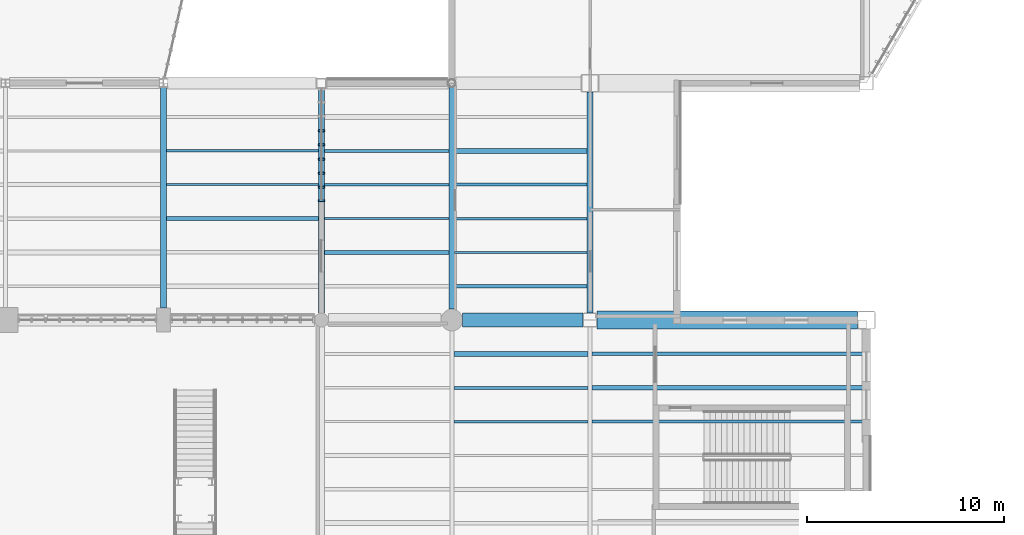
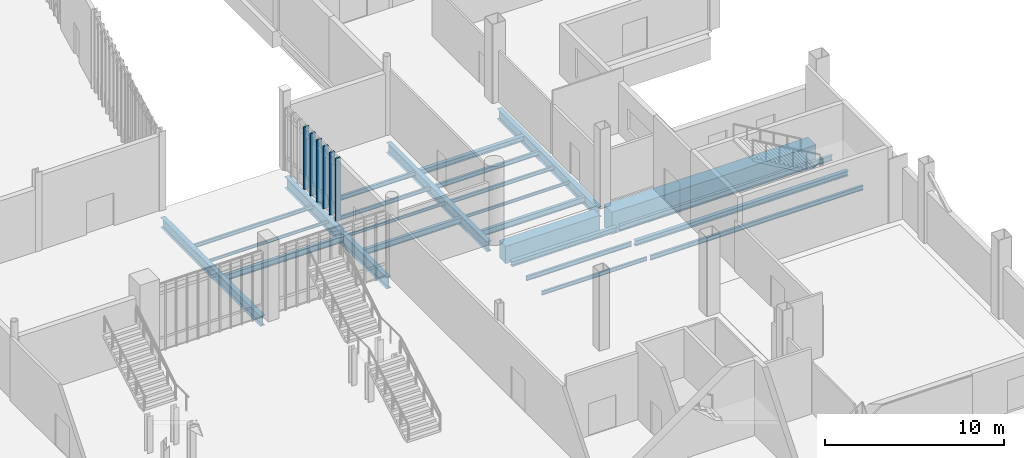
# One storey, part 23 of 111: 24 beams, 6 members, 1 element without a shape of its own.
"""IFC4 building model written with IfcOpenShell, lengths in metres."""

from ifc_helpers import new_model, si_unit, direction, frame, origin, origin_2d, place, context, subcontext, project, spatial, rectangle, i_section, extrude, material, material_profile, profile_set, type_object, element, aggregate, save


model = new_model("IFC4")

# Units and contexts
model_context = context("Model", 3, precision=1e-05, world=origin(), true_north=direction((0.0, 1.0)))
body_context = subcontext(model_context, "Body", "Model", "MODEL_VIEW")
ifc_project = project(units=[si_unit("LENGTHUNIT", "METRE"), si_unit("AREAUNIT", "SQUARE_METRE"), si_unit("VOLUMEUNIT", "CUBIC_METRE"), si_unit("PLANEANGLEUNIT", "RADIAN"), si_unit("MASSUNIT", "GRAM", prefix="KILO")], contexts=[model_context])

# Site, building, storey
site_placement = place(None, origin())
site = spatial("IfcSite", under=ifc_project, at=site_placement, CompositionType="ELEMENT")
building_placement = place(site_placement, origin())
building = spatial("IfcBuilding", under=site, at=building_placement, Name="Larkvane Passage Sports Hall", CompositionType="ELEMENT")
storey_placement = place(building_placement, origin())
storey = spatial("IfcBuildingStorey", under=building, at=storey_placement, Name="L00", CompositionType="ELEMENT", Elevation=0.0)

# Beams
ifc_material_1 = material(Name="Concrete C50/60", Category="concrete")
ifc_material_profile_1 = material_profile(ifc_material_1, rectangle(XDim=0.699951171875, YDim=1.199951171875, at=origin_2d()), Name="RC-BM-700x1200")
ifc_profile_set_1 = profile_set([ifc_material_profile_1], Name="Concrete C50/60")
beam_type_1 = type_object("IfcBeamType", Name="BM-RC-700x1200", PredefinedType="BEAM", material=ifc_profile_set_1)
beam_1_placement = place(storey_placement, frame((125.14990234375, 51.60009765625, -1.02001953125), z_axis=(1.0, 0.0, 0.0), x_axis=(0.0, 1.0, 0.0)))
element("IfcBeam", 1, at=beam_1_placement, inside=storey, type_object=beam_type_1, Name="Girder BM5-X-L00-G-0039", PredefinedType="BEAM", context=body_context, shape_type="SweptSolid", body=[
    extrude(rectangle(XDim=0.699951171875, YDim=1.199951171875, at=origin_2d()), origin(), (0.0, 0.0, 1.0), 6.10009765625),
])
ifc_material_2 = material(Name="Steel S460N", Category="steel")
ifc_material_profile_2 = material_profile(ifc_material_2, i_section(OverallWidth=0.300048828125, OverallDepth=0.69189453125, WebThickness=0.012939453125, FlangeThickness=0.02001953125, FilletRadius=0.02197265625, at=origin_2d()), Name="H-692x300x13x20")
ifc_profile_set_2 = profile_set([ifc_material_profile_2], Name="Steel S460N")
beam_type_2 = type_object("IfcBeamType", Name="BM-STL-H692", PredefinedType="BEAM", material=ifc_profile_set_2)
beam_2_placement = place(storey_placement, frame((110.0, 52.199951171875, -0.76611328125), z_axis=(0.0, 1.0, 0.0), x_axis=(-1.0, 0.0, 0.0)))
element("IfcBeam", 2, at=beam_2_placement, inside=storey, type_object=beam_type_2, Name="Girder BM5-Y-L00-15-0122", PredefinedType="BEAM", context=body_context, shape_type="SweptSolid", body=[
    extrude(i_section(OverallWidth=0.300048828125, OverallDepth=0.69189453125, WebThickness=0.012939453125, FlangeThickness=0.02001953125, FilletRadius=0.02197265625, at=origin_2d()), origin(), (0.0, 0.0, 1.0), 11.171142578125),
])
beam_3_placement = place(storey_placement, frame((124.60009765625, 52.14990234375, -0.76611328125), z_axis=(0.0, 1.0, 0.0), x_axis=(-1.0, 0.0, 0.0)))
element("IfcBeam", 3, at=beam_3_placement, inside=storey, type_object=beam_type_2, Name="Girder BM5-Y-L00-17-0126", PredefinedType="BEAM", context=body_context, shape_type="SweptSolid", body=[
    extrude(i_section(OverallWidth=0.300048828125, OverallDepth=0.69189453125, WebThickness=0.012939453125, FlangeThickness=0.02001953125, FilletRadius=0.02197265625, at=origin_2d()), origin(), (0.0, 0.0, 1.0), 11.246826171875),
])
beam_4_placement = place(storey_placement, frame((131.60009765625, 51.949951171875, -0.76611328125), z_axis=(0.0, 1.0, 0.0), x_axis=(-1.0, 0.0, 0.0)))
element("IfcBeam", 4, at=beam_4_placement, inside=storey, type_object=beam_type_2, Name="Girder BM5-Y-L00-18-0134", PredefinedType="BEAM", context=body_context, shape_type="SweptSolid", body=[
    extrude(i_section(OverallWidth=0.300048828125, OverallDepth=0.69189453125, WebThickness=0.012939453125, FlangeThickness=0.02001953125, FilletRadius=0.02197265625, at=origin_2d()), origin(), (0.0, 0.0, 1.0), 11.199951171875),
])
ifc_material_profile_3 = material_profile(ifc_material_2, i_section(OverallWidth=0.300048828125, OverallDepth=0.7919921875, WebThickness=0.013916015625, FlangeThickness=0.02197265625, FilletRadius=0.02197265625, at=origin_2d()), Name="H-792x300x14x22")
ifc_profile_set_3 = profile_set([ifc_material_profile_3], Name="Steel S460N")
beam_type_3 = type_object("IfcBeamType", Name="BM-STL-H792", PredefinedType="BEAM", material=ifc_profile_set_3)
beam_5_placement = place(storey_placement, frame((118.0, 51.949951171875, -0.81591796875), z_axis=(0.0, 1.0, 0.0), x_axis=(-1.0, 0.0, 0.0)))
element("IfcBeam", 5, at=beam_5_placement, inside=storey, type_object=beam_type_3, Name="Girder BM5-Y-L00-16-0124", PredefinedType="BEAM", context=body_context, shape_type="SweptSolid", body=[
    extrude(i_section(OverallWidth=0.300048828125, OverallDepth=0.7919921875, WebThickness=0.013916015625, FlangeThickness=0.02197265625, FilletRadius=0.02197265625, at=origin_2d()), origin(), (0.0, 0.0, 1.0), 11.400146484375),
])

# Curtain wall, members
ifc_material_3 = material(Name="Thermally broken aluminium and low-E glazing", Category="aluminium")
curtain_wall_type = type_object("IfcCurtainWallType", Name="CW-CLINIC", PredefinedType="USERDEFINED", material=ifc_material_3)
curtain_wall_placement = place(storey_placement, origin())
curtain_wall = element("IfcCurtainWall", 6, at=curtain_wall_placement, inside=storey, type_object=curtain_wall_type, Name="Curtain wall CW5-L00-019", ObjectType="UNITISED CURTAIN WALL", PredefinedType="USERDEFINED")
ifc_material_4 = material(Name="Anodised aluminium 6063-T6", Category="aluminium")
ifc_material_profile_4 = material_profile(ifc_material_4, rectangle(XDim=0.10009765625, YDim=0.320068359375, at=origin_2d()), Name="ALU-MUL-100x320")
ifc_profile_set_4 = profile_set([ifc_material_profile_4], Name="Anodised aluminium 6063-T6")
member_type = type_object("IfcMemberType", Name="CW-MUL-100x320", PredefinedType="MULLION", material=ifc_profile_set_4)
member_1_placement = place(storey_placement, frame((118.0, 57.64990234375, 0.0), z_axis=(0.0, 0.0, 1.0), x_axis=(0.0, 1.0, 0.0)))
member_1 = element("IfcMember", 7, at=member_1_placement, type_object=member_type, Name="CW-05 mullion 1", PredefinedType="MULLION", context=body_context, shape_type="SweptSolid", body=[
    extrude(rectangle(XDim=0.10009765625, YDim=0.320068359375, at=origin_2d()), origin(), (0.0, 0.0, 1.0), 4.26806640625),
])
member_2_placement = place(storey_placement, frame((118.0, 58.3193359375, 0.0), z_axis=(0.0, 0.0, 1.0), x_axis=(0.0, 1.0, 0.0)))
member_2 = element("IfcMember", 8, at=member_2_placement, type_object=member_type, Name="CW-05 mullion 2", PredefinedType="MULLION", context=body_context, shape_type="SweptSolid", body=[
    extrude(rectangle(XDim=0.10009765625, YDim=0.320068359375, at=origin_2d()), origin(), (0.0, 0.0, 1.0), 4.26806640625),
])
member_3_placement = place(storey_placement, frame((118.0, 59.03857421875, 0.0), z_axis=(0.0, 0.0, 1.0), x_axis=(0.0, 1.0, 0.0)))
member_3 = element("IfcMember", 9, at=member_3_placement, type_object=member_type, Name="CW-05 mullion 3", PredefinedType="MULLION", context=body_context, shape_type="SweptSolid", body=[
    extrude(rectangle(XDim=0.10009765625, YDim=0.320068359375, at=origin_2d()), origin(), (0.0, 0.0, 1.0), 4.26806640625),
])
member_4_placement = place(storey_placement, frame((118.0, 59.7578125, 0.0), z_axis=(0.0, 0.0, 1.0), x_axis=(0.0, 1.0, 0.0)))
member_4 = element("IfcMember", 10, at=member_4_placement, type_object=member_type, Name="CW-05 mullion 4", PredefinedType="MULLION", context=body_context, shape_type="SweptSolid", body=[
    extrude(rectangle(XDim=0.10009765625, YDim=0.320068359375, at=origin_2d()), origin(), (0.0, 0.0, 1.0), 4.26806640625),
])
member_5_placement = place(storey_placement, frame((118.0, 60.47705078125, 0.0), z_axis=(0.0, 0.0, 1.0), x_axis=(0.0, 1.0, 0.0)))
member_5 = element("IfcMember", 11, at=member_5_placement, type_object=member_type, Name="CW-05 mullion 5", PredefinedType="MULLION", context=body_context, shape_type="SweptSolid", body=[
    extrude(rectangle(XDim=0.10009765625, YDim=0.320068359375, at=origin_2d()), origin(), (0.0, 0.0, 1.0), 4.26806640625),
])
member_6_placement = place(storey_placement, frame((118.0, 61.1962890625, 0.0), z_axis=(0.0, 0.0, 1.0), x_axis=(0.0, 1.0, 0.0)))
member_6 = element("IfcMember", 12, at=member_6_placement, type_object=member_type, Name="CW-05 mullion 6", PredefinedType="MULLION", context=body_context, shape_type="SweptSolid", body=[
    extrude(rectangle(XDim=0.10009765625, YDim=0.320068359375, at=origin_2d()), origin(), (0.0, 0.0, 1.0), 4.26806640625),
])
aggregate(curtain_wall, [member_1, member_2, member_3, member_4, member_5, member_6])

# Beams
ifc_material_5 = material(Name="Steel S355JR", Category="steel")
ifc_material_profile_5 = material_profile(ifc_material_5, i_section(OverallWidth=0.10009765625, OverallDepth=0.199951171875, WebThickness=0.005615234375, FlangeThickness=0.008056640625, FilletRadius=0.008056640625, at=origin_2d()), Name="H-200x100x5.5x8")
ifc_profile_set_5 = profile_set([ifc_material_profile_5], Name="Steel S355JR")
beam_type_4 = type_object("IfcBeamType", Name="JST-STL-H200", PredefinedType="JOIST", material=ifc_profile_set_5)
beam_6_placement = place(storey_placement, frame((110.14990234375, 58.45703125, -0.52001953125), z_axis=(1.0, 0.0, 0.0), x_axis=(0.0, 1.0, 0.0)))
element("IfcBeam", 13, at=beam_6_placement, inside=storey, type_object=beam_type_4, Name="Composite joist L00 15/G-4", PredefinedType="JOIST", context=body_context, shape_type="SweptSolid", body=[
    extrude(i_section(OverallWidth=0.10009765625, OverallDepth=0.199951171875, WebThickness=0.005615234375, FlangeThickness=0.008056640625, FilletRadius=0.008056640625, at=origin_2d()), origin(), (0.0, 0.0, 1.0), 7.7001953125),
])
beam_7_placement = place(storey_placement, frame((118.14990234375, 56.742919921875, -0.52001953125), z_axis=(1.0, 0.0, 0.0), x_axis=(0.0, 1.0, 0.0)))
element("IfcBeam", 14, at=beam_7_placement, inside=storey, type_object=beam_type_4, Name="Composite joist L00 16/G-3", PredefinedType="JOIST", context=body_context, shape_type="SweptSolid", body=[
    extrude(i_section(OverallWidth=0.10009765625, OverallDepth=0.199951171875, WebThickness=0.005615234375, FlangeThickness=0.008056640625, FilletRadius=0.008056640625, at=origin_2d()), origin(), (0.0, 0.0, 1.0), 6.300048828125),
])
beam_8_placement = place(storey_placement, frame((124.75, 55.028564453125, -0.52001953125), z_axis=(1.0, 0.0, 0.0), x_axis=(0.0, 1.0, 0.0)))
element("IfcBeam", 15, at=beam_8_placement, inside=storey, type_object=beam_type_4, Name="Composite joist L00 17/G-2", PredefinedType="JOIST", context=body_context, shape_type="SweptSolid", body=[
    extrude(i_section(OverallWidth=0.10009765625, OverallDepth=0.199951171875, WebThickness=0.005615234375, FlangeThickness=0.008056640625, FilletRadius=0.008056640625, at=origin_2d()), origin(), (0.0, 0.0, 1.0), 6.699951171875),
])
ifc_material_profile_6 = material_profile(ifc_material_5, i_section(OverallWidth=0.125, OverallDepth=0.25, WebThickness=0.006103515625, FlangeThickness=0.009033203125, FilletRadius=0.008056640625, at=origin_2d()), Name="H-250x125x6x9")
ifc_profile_set_6 = profile_set([ifc_material_profile_6], Name="Steel S355JR")
beam_type_5 = type_object("IfcBeamType", Name="JST-STL-H250", PredefinedType="JOIST", material=ifc_profile_set_6)
beam_9_placement = place(storey_placement, frame((110.14990234375, 60.17138671875, -0.544921875), z_axis=(1.0, 0.0, 0.0), x_axis=(0.0, 1.0, 0.0)))
element("IfcBeam", 16, at=beam_9_placement, inside=storey, type_object=beam_type_5, Name="Composite joist L00 15/G-5", PredefinedType="JOIST", context=body_context, shape_type="SweptSolid", body=[
    extrude(i_section(OverallWidth=0.125, OverallDepth=0.25, WebThickness=0.006103515625, FlangeThickness=0.009033203125, FilletRadius=0.008056640625, at=origin_2d()), origin(), (0.0, 0.0, 1.0), 7.7001953125),
])
beam_10_placement = place(storey_placement, frame((118.14990234375, 58.45703125, -0.544921875), z_axis=(1.0, 0.0, 0.0), x_axis=(0.0, 1.0, 0.0)))
element("IfcBeam", 17, at=beam_10_placement, inside=storey, type_object=beam_type_5, Name="Composite joist L00 16/G-4", PredefinedType="JOIST", context=body_context, shape_type="SweptSolid", body=[
    extrude(i_section(OverallWidth=0.125, OverallDepth=0.25, WebThickness=0.006103515625, FlangeThickness=0.009033203125, FilletRadius=0.008056640625, at=origin_2d()), origin(), (0.0, 0.0, 1.0), 6.300048828125),
])
beam_11_placement = place(storey_placement, frame((124.699951171875, 46.45703125, -0.544921875), z_axis=(1.0, 0.0, 0.0), x_axis=(0.0, 1.0, 0.0)))
element("IfcBeam", 18, at=beam_11_placement, inside=storey, type_object=beam_type_5, Name="Composite joist L00 17/F-4", PredefinedType="JOIST", context=body_context, shape_type="SweptSolid", body=[
    extrude(i_section(OverallWidth=0.125, OverallDepth=0.25, WebThickness=0.006103515625, FlangeThickness=0.009033203125, FilletRadius=0.008056640625, at=origin_2d()), origin(), (0.0, 0.0, 1.0), 6.800048828125),
])
beam_12_placement = place(storey_placement, frame((124.75, 56.742919921875, -0.544921875), z_axis=(1.0, 0.0, 0.0), x_axis=(0.0, 1.0, 0.0)))
element("IfcBeam", 19, at=beam_12_placement, inside=storey, type_object=beam_type_5, Name="Composite joist L00 17/G-3", PredefinedType="JOIST", context=body_context, shape_type="SweptSolid", body=[
    extrude(i_section(OverallWidth=0.125, OverallDepth=0.25, WebThickness=0.006103515625, FlangeThickness=0.009033203125, FilletRadius=0.008056640625, at=origin_2d()), origin(), (0.0, 0.0, 1.0), 6.699951171875),
])
ifc_material_profile_7 = material_profile(ifc_material_5, i_section(OverallWidth=0.14990234375, OverallDepth=0.300048828125, WebThickness=0.006591796875, FlangeThickness=0.009033203125, FilletRadius=0.012939453125, at=origin_2d()), Name="H-300x150x6.5x9")
ifc_profile_set_7 = profile_set([ifc_material_profile_7], Name="Steel S355JR")
beam_type_6 = type_object("IfcBeamType", Name="JST-STL-H300", PredefinedType="JOIST", material=ifc_profile_set_7)
beam_13_placement = place(storey_placement, frame((118.14990234375, 60.17138671875, -0.570068359375), z_axis=(1.0, 0.0, 0.0), x_axis=(0.0, 1.0, 0.0)))
element("IfcBeam", 20, at=beam_13_placement, inside=storey, type_object=beam_type_6, Name="Composite joist L00 16/G-5", PredefinedType="JOIST", context=body_context, shape_type="SweptSolid", body=[
    extrude(i_section(OverallWidth=0.14990234375, OverallDepth=0.300048828125, WebThickness=0.006591796875, FlangeThickness=0.009033203125, FilletRadius=0.012939453125, at=origin_2d()), origin(), (0.0, 0.0, 1.0), 6.300048828125),
])
beam_14_placement = place(storey_placement, frame((124.699951171875, 48.17138671875, -0.570068359375), z_axis=(1.0, 0.0, 0.0), x_axis=(0.0, 1.0, 0.0)))
element("IfcBeam", 21, at=beam_14_placement, inside=storey, type_object=beam_type_6, Name="Composite joist L00 17/F-5", PredefinedType="JOIST", context=body_context, shape_type="SweptSolid", body=[
    extrude(i_section(OverallWidth=0.14990234375, OverallDepth=0.300048828125, WebThickness=0.006591796875, FlangeThickness=0.009033203125, FilletRadius=0.012939453125, at=origin_2d()), origin(), (0.0, 0.0, 1.0), 6.800048828125),
])
beam_15_placement = place(storey_placement, frame((124.75, 58.45703125, -0.570068359375), z_axis=(1.0, 0.0, 0.0), x_axis=(0.0, 1.0, 0.0)))
element("IfcBeam", 22, at=beam_15_placement, inside=storey, type_object=beam_type_6, Name="Composite joist L00 17/G-4", PredefinedType="JOIST", context=body_context, shape_type="SweptSolid", body=[
    extrude(i_section(OverallWidth=0.14990234375, OverallDepth=0.300048828125, WebThickness=0.006591796875, FlangeThickness=0.009033203125, FilletRadius=0.012939453125, at=origin_2d()), origin(), (0.0, 0.0, 1.0), 6.699951171875),
])
beam_16_placement = place(storey_placement, frame((131.699951171875, 46.45703125, -0.570068359375), z_axis=(1.0, 0.0, 0.0), x_axis=(0.0, 1.0, 0.0)))
element("IfcBeam", 23, at=beam_16_placement, inside=storey, type_object=beam_type_6, Name="Composite joist L00 18/F-4", PredefinedType="JOIST", context=body_context, shape_type="SweptSolid", body=[
    extrude(i_section(OverallWidth=0.14990234375, OverallDepth=0.300048828125, WebThickness=0.006591796875, FlangeThickness=0.009033203125, FilletRadius=0.012939453125, at=origin_2d()), origin(), (0.0, 0.0, 1.0), 13.75),
])
ifc_material_profile_8 = material_profile(ifc_material_5, i_section(OverallWidth=0.25, OverallDepth=0.340087890625, WebThickness=0.009033203125, FlangeThickness=0.013916015625, FilletRadius=0.012939453125, at=origin_2d()), Name="H-340x250x9x14")
ifc_profile_set_8 = profile_set([ifc_material_profile_8], Name="Steel S355JR")
beam_type_7 = type_object("IfcBeamType", Name="JST-STL-H340", PredefinedType="JOIST", material=ifc_profile_set_8)
beam_17_placement = place(storey_placement, frame((124.699951171875, 49.8857421875, -0.590087890625), z_axis=(1.0, 0.0, 0.0), x_axis=(0.0, 1.0, 0.0)))
element("IfcBeam", 24, at=beam_17_placement, inside=storey, type_object=beam_type_7, Name="Composite joist L00 17/F-6", PredefinedType="JOIST", context=body_context, shape_type="SweptSolid", body=[
    extrude(i_section(OverallWidth=0.25, OverallDepth=0.340087890625, WebThickness=0.009033203125, FlangeThickness=0.013916015625, FilletRadius=0.012939453125, at=origin_2d()), origin(), (0.0, 0.0, 1.0), 6.800048828125),
])
beam_18_placement = place(storey_placement, frame((124.75, 60.17138671875, -0.590087890625), z_axis=(1.0, 0.0, 0.0), x_axis=(0.0, 1.0, 0.0)))
element("IfcBeam", 25, at=beam_18_placement, inside=storey, type_object=beam_type_7, Name="Composite joist L00 17/G-5", PredefinedType="JOIST", context=body_context, shape_type="SweptSolid", body=[
    extrude(i_section(OverallWidth=0.25, OverallDepth=0.340087890625, WebThickness=0.009033203125, FlangeThickness=0.013916015625, FilletRadius=0.012939453125, at=origin_2d()), origin(), (0.0, 0.0, 1.0), 6.699951171875),
])
beam_19_placement = place(storey_placement, frame((131.699951171875, 48.17138671875, -0.590087890625), z_axis=(1.0, 0.0, 0.0), x_axis=(0.0, 1.0, 0.0)))
element("IfcBeam", 26, at=beam_19_placement, inside=storey, type_object=beam_type_7, Name="Composite joist L00 18/F-5", PredefinedType="JOIST", context=body_context, shape_type="SweptSolid", body=[
    extrude(i_section(OverallWidth=0.25, OverallDepth=0.340087890625, WebThickness=0.009033203125, FlangeThickness=0.013916015625, FilletRadius=0.012939453125, at=origin_2d()), origin(), (0.0, 0.0, 1.0), 13.75),
])
ifc_material_profile_9 = material_profile(ifc_material_5, i_section(OverallWidth=0.175048828125, OverallDepth=0.35009765625, WebThickness=0.007080078125, FlangeThickness=0.010986328125, FilletRadius=0.012939453125, at=origin_2d()), Name="H-350x175x7x11")
ifc_profile_set_9 = profile_set([ifc_material_profile_9], Name="Steel S355JR")
beam_type_8 = type_object("IfcBeamType", Name="JST-STL-H350", PredefinedType="JOIST", material=ifc_profile_set_9)
beam_20_placement = place(storey_placement, frame((131.699951171875, 49.8857421875, -0.594970703125), z_axis=(1.0, 0.0, 0.0), x_axis=(0.0, 1.0, 0.0)))
element("IfcBeam", 27, at=beam_20_placement, inside=storey, type_object=beam_type_8, Name="Composite joist L00 18/F-6", PredefinedType="JOIST", context=body_context, shape_type="SweptSolid", body=[
    extrude(i_section(OverallWidth=0.175048828125, OverallDepth=0.35009765625, WebThickness=0.007080078125, FlangeThickness=0.010986328125, FilletRadius=0.012939453125, at=origin_2d()), origin(), (0.0, 0.0, 1.0), 13.75),
])
ifc_material_profile_10 = material_profile(ifc_material_5, i_section(OverallWidth=0.199951171875, OverallDepth=0.39990234375, WebThickness=0.008056640625, FlangeThickness=0.012939453125, FilletRadius=0.012939453125, at=origin_2d()), Name="H-400x200x8x13")
ifc_profile_set_10 = profile_set([ifc_material_profile_10], Name="Steel S355JR")
beam_type_9 = type_object("IfcBeamType", Name="JST-STL-H400", PredefinedType="JOIST", material=ifc_profile_set_10)
beam_21_placement = place(storey_placement, frame((110.14990234375, 56.742919921875, -0.6201171875), z_axis=(1.0, 0.0, 0.0), x_axis=(0.0, 1.0, 0.0)))
element("IfcBeam", 28, at=beam_21_placement, inside=storey, type_object=beam_type_9, Name="Composite joist L00 15/G-3", PredefinedType="JOIST", context=body_context, shape_type="SweptSolid", body=[
    extrude(i_section(OverallWidth=0.199951171875, OverallDepth=0.39990234375, WebThickness=0.008056640625, FlangeThickness=0.012939453125, FilletRadius=0.012939453125, at=origin_2d()), origin(), (0.0, 0.0, 1.0), 7.7001953125),
])
beam_22_placement = place(storey_placement, frame((118.14990234375, 55.028564453125, -0.6201171875), z_axis=(1.0, 0.0, 0.0), x_axis=(0.0, 1.0, 0.0)))
element("IfcBeam", 29, at=beam_22_placement, inside=storey, type_object=beam_type_9, Name="Composite joist L00 16/G-2", PredefinedType="JOIST", context=body_context, shape_type="SweptSolid", body=[
    extrude(i_section(OverallWidth=0.199951171875, OverallDepth=0.39990234375, WebThickness=0.008056640625, FlangeThickness=0.012939453125, FilletRadius=0.012939453125, at=origin_2d()), origin(), (0.0, 0.0, 1.0), 6.300048828125),
])
beam_23_placement = place(storey_placement, frame((124.75, 53.314208984375, -0.6201171875), z_axis=(1.0, 0.0, 0.0), x_axis=(0.0, 1.0, 0.0)))
element("IfcBeam", 30, at=beam_23_placement, inside=storey, type_object=beam_type_9, Name="Composite joist L00 17/G-1", PredefinedType="JOIST", context=body_context, shape_type="SweptSolid", body=[
    extrude(i_section(OverallWidth=0.199951171875, OverallDepth=0.39990234375, WebThickness=0.008056640625, FlangeThickness=0.012939453125, FilletRadius=0.012939453125, at=origin_2d()), origin(), (0.0, 0.0, 1.0), 6.699951171875),
])
ifc_material_profile_11 = material_profile(ifc_material_1, rectangle(XDim=0.89990234375, YDim=1.5, at=origin_2d()), Name="PT-GIR-900x1500")
ifc_profile_set_11 = profile_set([ifc_material_profile_11], Name="Concrete C50/60")
beam_type_10 = type_object("IfcBeamType", Name="PTG-900x1500", PredefinedType="BEAM", material=ifc_profile_set_11)
beam_24_placement = place(storey_placement, frame((131.949951171875, 51.60009765625, -1.169921875), z_axis=(1.0, 0.0, 0.0), x_axis=(0.0, 1.0, 0.0)))
element("IfcBeam", 31, at=beam_24_placement, inside=storey, type_object=beam_type_10, Name="Post-tensioned transfer girder BM5-X-L00-G-0040", PredefinedType="BEAM", context=body_context, shape_type="SweptSolid", body=[
    extrude(rectangle(XDim=0.89990234375, YDim=1.5, at=origin_2d()), origin(), (0.0, 0.0, 1.0), 13.199951171875),
])

save(model, "model.ifc")
